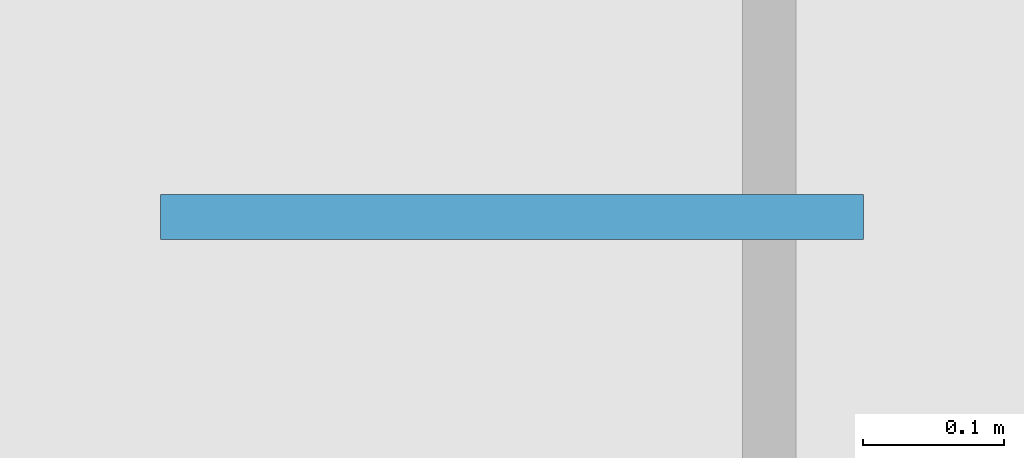
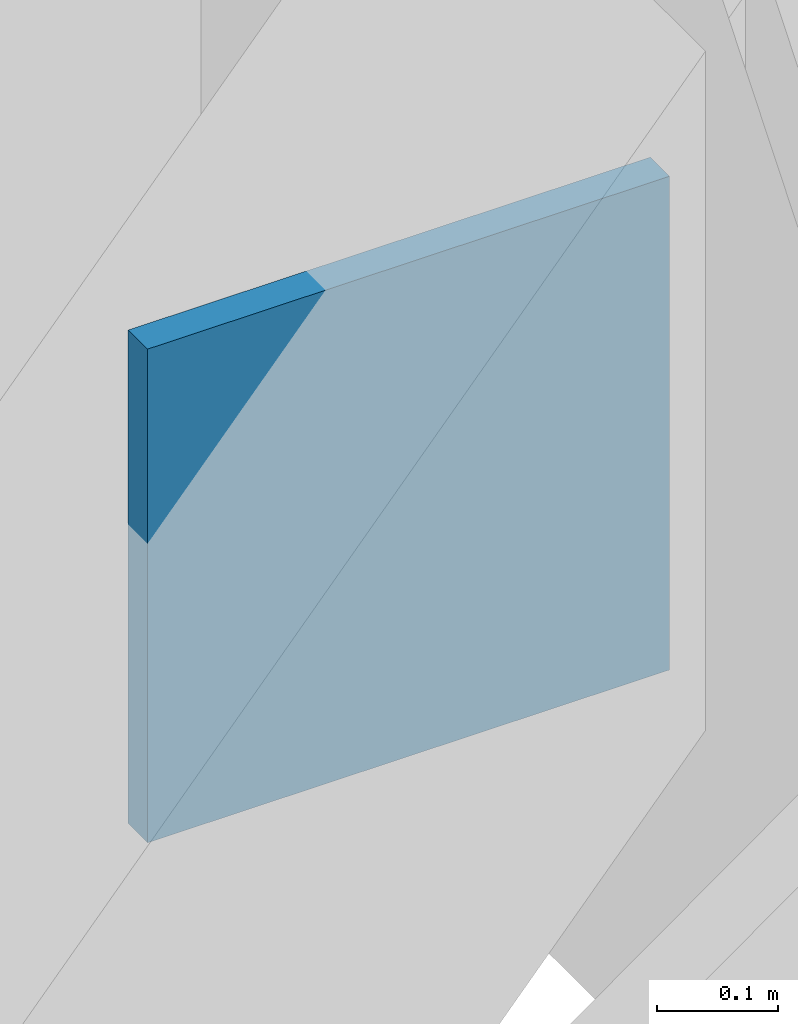
# One storey, part 18 of 33: 1 plate.
"""IFC4 building model written with IfcOpenShell, lengths in metres."""

from ifc_helpers import new_model, si_unit, direction, frame, origin, origin_2d, place, context, subcontext, project, spatial, rectangle, extrude, material, layer, layer_set, type_object, element, save


model = new_model("IFC4")

# Units and contexts
model_context = context("Model", 3, precision=1e-05, world=origin(), true_north=direction((0.0, 1.0)))
body_context = subcontext(model_context, "Body", "Model", "MODEL_VIEW")
ifc_project = project(units=[si_unit("LENGTHUNIT", "METRE"), si_unit("AREAUNIT", "SQUARE_METRE"), si_unit("VOLUMEUNIT", "CUBIC_METRE"), si_unit("PLANEANGLEUNIT", "RADIAN"), si_unit("MASSUNIT", "GRAM", prefix="KILO")], contexts=[model_context])

# Site, building, storey
site_placement = place(None, origin())
site = spatial("IfcSite", under=ifc_project, at=site_placement, CompositionType="ELEMENT")
building_placement = place(site_placement, origin())
building = spatial("IfcBuilding", under=site, at=building_placement, Name="Punatoya Terracotta Tower", CompositionType="ELEMENT")
storey_placement = place(building_placement, frame((0.0, 0.0, 246.60009765625)))
storey = spatial("IfcBuildingStorey", under=building, at=storey_placement, Name="L58", CompositionType="ELEMENT", Elevation=246.60009765625)

# Plate
ifc_material = material(Name="Steel S460", Category="steel")
ifc_layer = layer(ifc_material, 0.031982421875)
ifc_layer_set = layer_set([ifc_layer], Name="Steel S460")
plate_type = type_object("IfcPlateType", Name="PLT-END-32", PredefinedType="USERDEFINED", material=ifc_layer_set)
plate_placement = place(storey_placement, frame((19.548095703125, -17.5, 0.287841796875), z_axis=(0.0, 0.0, 1.0), x_axis=(1.0, 0.0, 0.0)))
element("IfcPlate", 1, at=plate_placement, inside=storey, type_object=plate_type, Name="L59 Knee-Strut Base Gusset Plate E1", ObjectType="FLANGE_PLATE", PredefinedType="USERDEFINED", context=body_context, shape_type="SweptSolid", body=[
    extrude(rectangle(XDim=0.5, YDim=0.031982421875, at=origin_2d()), origin(), (0.0, 0.0, 1.0), 0.5),
])

save(model, "model.ifc")
